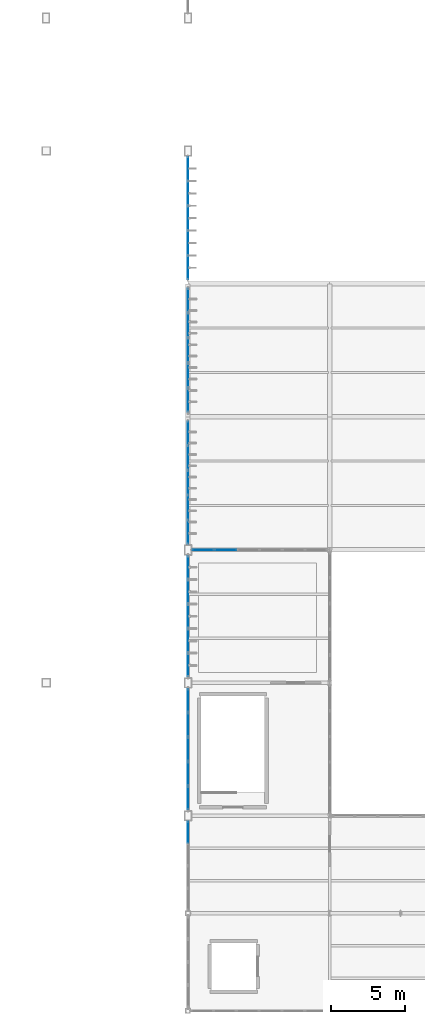
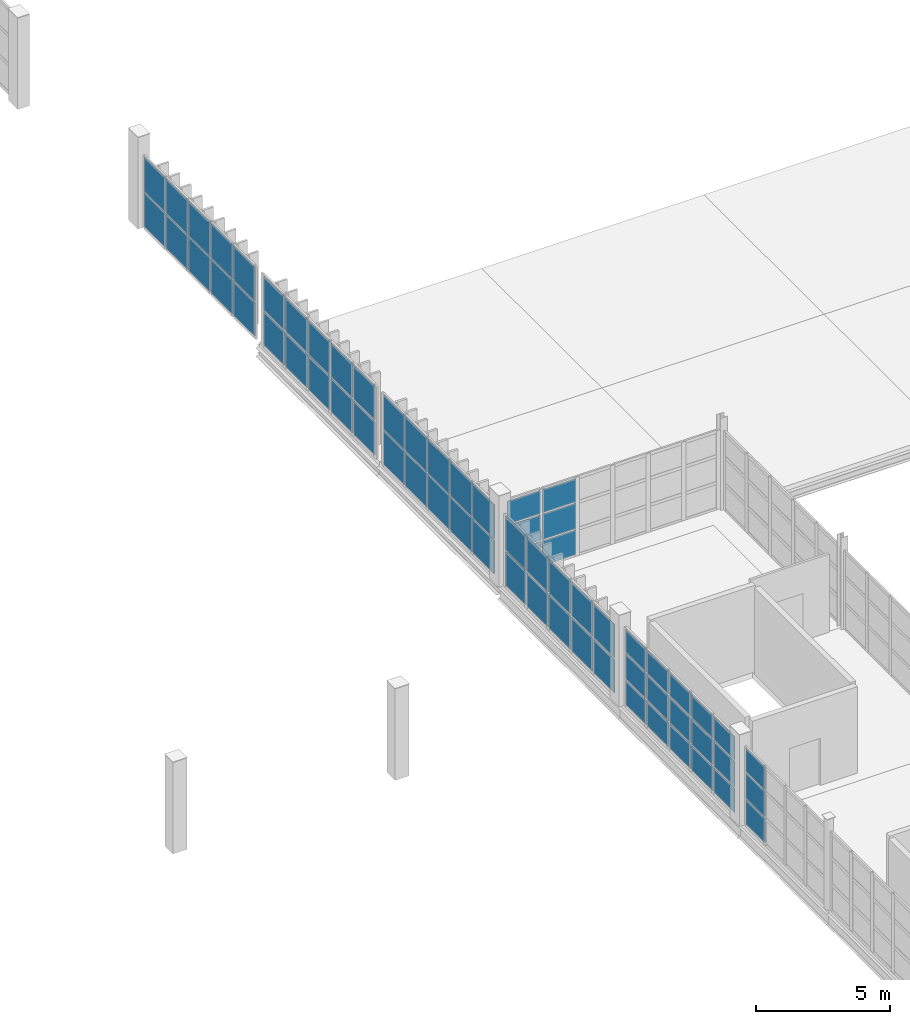
# One storey, part 53 of 82: 64 plates, 7 elements without a shape of their own.
"""IFC4 building model written with IfcOpenShell, lengths in metres."""

from ifc_helpers import new_model, si_unit, direction, frame, origin, origin_2d, place, context, subcontext, project, spatial, rectangle, extrude, material, layer, layer_set, type_object, element, aggregate, save


model = new_model("IFC4")

# Units and contexts
model_context = context("Model", 3, precision=1e-05, world=origin(), true_north=direction((0.0, 1.0)))
body_context = subcontext(model_context, "Body", "Model", "MODEL_VIEW")
ifc_project = project(units=[si_unit("LENGTHUNIT", "METRE"), si_unit("AREAUNIT", "SQUARE_METRE"), si_unit("VOLUMEUNIT", "CUBIC_METRE"), si_unit("PLANEANGLEUNIT", "RADIAN"), si_unit("MASSUNIT", "GRAM", prefix="KILO")], contexts=[model_context])

# Site, building, storey
site_placement = place(None, origin())
site = spatial("IfcSite", under=ifc_project, at=site_placement, CompositionType="ELEMENT")
building_placement = place(site_placement, origin())
building = spatial("IfcBuilding", under=site, at=building_placement, Name="Zarnetskaya Central Station", CompositionType="ELEMENT")
storey_placement = place(building_placement, frame((0.0, 0.0, 10.199951171875)))
storey = spatial("IfcBuildingStorey", under=building, at=storey_placement, Name="L02", CompositionType="ELEMENT", Elevation=10.199951171875)

# Curtain wall, plates
ifc_material = material(Name="Low-E insulated glass", Category="glass")
ifc_layer_1 = layer(ifc_material, 0.16796875, Name="Low-E insulated glass", Category="glass")
ifc_layer_set_1 = layer_set([ifc_layer_1], Name="Low-E insulated glass")
curtain_wall_type_1 = type_object("IfcCurtainWallType", Name="CW-SYS-18", PredefinedType="USERDEFINED", material=ifc_layer_set_1)
curtain_wall_1_placement = place(storey_placement, origin())
curtain_wall_1 = element("IfcCurtainWall", 1, at=curtain_wall_1_placement, inside=storey, type_object=curtain_wall_type_1, Name="Curtain wall CW-L02-090", ObjectType="CURTAIN WALL", PredefinedType="USERDEFINED")
ifc_layer_2 = layer(ifc_material, 0.028076171875, Name="Low-E insulated glass", Category="glass")
ifc_layer_set_2 = layer_set([ifc_layer_2], Name="Low-E insulated glass")
plate_type_1 = type_object("IfcPlateType", Name="CW-PAN-28", PredefinedType="CURTAIN_PANEL", material=ifc_layer_set_2)
plate_1_placement = place(storey_placement, frame((124.800048828125, 30.0, 0.080078125), z_axis=(0.0, 0.0, 1.0), x_axis=(0.0, -1.0, 0.0)))
plate_1 = element("IfcPlate", 2, at=plate_1_placement, type_object=plate_type_1, Name="CW-10 panel 1.1", PredefinedType="CURTAIN_PANEL", context=body_context, shape_type="SweptSolid", body=[
    extrude(rectangle(XDim=1.5400390625, YDim=0.028076171875, at=origin_2d()), origin(), (0.0, 0.0, 1.0), 1.530029296875),
])
plate_2_placement = place(storey_placement, frame((124.800048828125, 30.0, 1.68994140625), z_axis=(0.0, 0.0, 1.0), x_axis=(0.0, -1.0, 0.0)))
plate_2 = element("IfcPlate", 3, at=plate_2_placement, type_object=plate_type_1, Name="CW-10 panel 1.2", PredefinedType="CURTAIN_PANEL", context=body_context, shape_type="SweptSolid", body=[
    extrude(rectangle(XDim=1.5400390625, YDim=0.028076171875, at=origin_2d()), origin(), (0.0, 0.0, 1.0), 1.530029296875),
])
plate_3_placement = place(storey_placement, frame((124.800048828125, 28.360107421875, 0.080078125), z_axis=(0.0, 0.0, 1.0), x_axis=(0.0, -1.0, 0.0)))
plate_3 = element("IfcPlate", 4, at=plate_3_placement, type_object=plate_type_1, Name="CW-10 panel 2.1", PredefinedType="CURTAIN_PANEL", context=body_context, shape_type="SweptSolid", body=[
    extrude(rectangle(XDim=1.580078125, YDim=0.028076171875, at=origin_2d()), origin(), (0.0, 0.0, 1.0), 1.530029296875),
])
plate_4_placement = place(storey_placement, frame((124.800048828125, 28.360107421875, 1.68994140625), z_axis=(0.0, 0.0, 1.0), x_axis=(0.0, -1.0, 0.0)))
plate_4 = element("IfcPlate", 5, at=plate_4_placement, type_object=plate_type_1, Name="CW-10 panel 2.2", PredefinedType="CURTAIN_PANEL", context=body_context, shape_type="SweptSolid", body=[
    extrude(rectangle(XDim=1.580078125, YDim=0.028076171875, at=origin_2d()), origin(), (0.0, 0.0, 1.0), 1.530029296875),
])
plate_5_placement = place(storey_placement, frame((124.800048828125, 26.699951171875, 0.080078125), z_axis=(0.0, 0.0, 1.0), x_axis=(0.0, -1.0, 0.0)))
plate_5 = element("IfcPlate", 6, at=plate_5_placement, type_object=plate_type_1, Name="CW-10 panel 3.1", PredefinedType="CURTAIN_PANEL", context=body_context, shape_type="SweptSolid", body=[
    extrude(rectangle(XDim=1.580078125, YDim=0.028076171875, at=origin_2d()), origin(), (0.0, 0.0, 1.0), 1.530029296875),
])
plate_6_placement = place(storey_placement, frame((124.800048828125, 26.699951171875, 1.68994140625), z_axis=(0.0, 0.0, 1.0), x_axis=(0.0, -1.0, 0.0)))
plate_6 = element("IfcPlate", 7, at=plate_6_placement, type_object=plate_type_1, Name="CW-10 panel 3.2", PredefinedType="CURTAIN_PANEL", context=body_context, shape_type="SweptSolid", body=[
    extrude(rectangle(XDim=1.580078125, YDim=0.028076171875, at=origin_2d()), origin(), (0.0, 0.0, 1.0), 1.530029296875),
])
plate_7_placement = place(storey_placement, frame((124.800048828125, 25.0400390625, 0.080078125), z_axis=(0.0, 0.0, 1.0), x_axis=(0.0, -1.0, 0.0)))
plate_7 = element("IfcPlate", 8, at=plate_7_placement, type_object=plate_type_1, Name="CW-10 panel 4.1", PredefinedType="CURTAIN_PANEL", context=body_context, shape_type="SweptSolid", body=[
    extrude(rectangle(XDim=1.580078125, YDim=0.028076171875, at=origin_2d()), origin(), (0.0, 0.0, 1.0), 1.530029296875),
])
plate_8_placement = place(storey_placement, frame((124.800048828125, 25.0400390625, 1.68994140625), z_axis=(0.0, 0.0, 1.0), x_axis=(0.0, -1.0, 0.0)))
plate_8 = element("IfcPlate", 9, at=plate_8_placement, type_object=plate_type_1, Name="CW-10 panel 4.2", PredefinedType="CURTAIN_PANEL", context=body_context, shape_type="SweptSolid", body=[
    extrude(rectangle(XDim=1.580078125, YDim=0.028076171875, at=origin_2d()), origin(), (0.0, 0.0, 1.0), 1.530029296875),
])
plate_9_placement = place(storey_placement, frame((124.800048828125, 23.39990234375, 0.080078125), z_axis=(0.0, 0.0, 1.0), x_axis=(0.0, -1.0, 0.0)))
plate_9 = element("IfcPlate", 10, at=plate_9_placement, type_object=plate_type_1, Name="CW-10 panel 5.1", PredefinedType="CURTAIN_PANEL", context=body_context, shape_type="SweptSolid", body=[
    extrude(rectangle(XDim=1.5400390625, YDim=0.028076171875, at=origin_2d()), origin(), (0.0, 0.0, 1.0), 1.530029296875),
])
plate_10_placement = place(storey_placement, frame((124.800048828125, 23.39990234375, 1.68994140625), z_axis=(0.0, 0.0, 1.0), x_axis=(0.0, -1.0, 0.0)))
plate_10 = element("IfcPlate", 11, at=plate_10_placement, type_object=plate_type_1, Name="CW-10 panel 5.2", PredefinedType="CURTAIN_PANEL", context=body_context, shape_type="SweptSolid", body=[
    extrude(rectangle(XDim=1.5400390625, YDim=0.028076171875, at=origin_2d()), origin(), (0.0, 0.0, 1.0), 1.530029296875),
])
aggregate(curtain_wall_1, [plate_1, plate_2, plate_3, plate_4, plate_5, plate_6, plate_7, plate_8, plate_9, plate_10])

ifc_layer_3 = layer(ifc_material, 0.1640625, Name="Low-E insulated glass", Category="glass")
ifc_layer_set_3 = layer_set([ifc_layer_3], Name="Low-E insulated glass")
curtain_wall_type_2 = type_object("IfcCurtainWallType", Name="CW-SYS-07", PredefinedType="USERDEFINED", material=ifc_layer_set_3)
curtain_wall_2_placement = place(storey_placement, origin())
curtain_wall_2 = element("IfcCurtainWall", 12, at=curtain_wall_2_placement, inside=storey, type_object=curtain_wall_type_2, Name="Curtain wall CW-L02-135", ObjectType="CURTAIN WALL", PredefinedType="USERDEFINED")
plate_11_placement = place(storey_placement, frame((124.800048828125, 12.073486328125, 0.0703125), z_axis=(0.0, 0.0, 1.0), x_axis=(0.0, 1.0, 0.0)))
plate_11 = element("IfcPlate", 13, at=plate_11_placement, type_object=plate_type_1, Name="CW-06 panel 4.1", PredefinedType="CURTAIN_PANEL", context=body_context, shape_type="SweptSolid", body=[
    extrude(rectangle(XDim=1.4130859375, YDim=0.028076171875, at=origin_2d()), origin(), (0.0, 0.0, 1.0), 1.118896484375),
])
plate_12_placement = place(storey_placement, frame((124.800048828125, 12.073486328125, 1.2587890625), z_axis=(0.0, 0.0, 1.0), x_axis=(0.0, 1.0, 0.0)))
plate_12 = element("IfcPlate", 14, at=plate_12_placement, type_object=plate_type_1, Name="CW-06 panel 4.2", PredefinedType="CURTAIN_PANEL", context=body_context, shape_type="SweptSolid", body=[
    extrude(rectangle(XDim=1.4130859375, YDim=0.028076171875, at=origin_2d()), origin(), (0.0, 0.0, 1.0), 1.154052734375),
])
plate_13_placement = place(storey_placement, frame((124.800048828125, 12.073486328125, 2.48291015625), z_axis=(0.0, 0.0, 1.0), x_axis=(0.0, 1.0, 0.0)))
plate_13 = element("IfcPlate", 15, at=plate_13_placement, type_object=plate_type_1, Name="CW-06 panel 4.3", PredefinedType="CURTAIN_PANEL", context=body_context, shape_type="SweptSolid", body=[
    extrude(rectangle(XDim=1.4130859375, YDim=0.028076171875, at=origin_2d()), origin(), (0.0, 0.0, 1.0), 1.047119140625),
])
aggregate(curtain_wall_2, [plate_11, plate_12, plate_13])

curtain_wall_3_placement = place(storey_placement, origin())
curtain_wall_3 = element("IfcCurtainWall", 16, at=curtain_wall_3_placement, inside=storey, type_object=curtain_wall_type_1, Name="Curtain wall CW-L02-096", ObjectType="CURTAIN WALL", PredefinedType="USERDEFINED")
ifc_layer_4 = layer(ifc_material, 0.031982421875, Name="Low-E insulated glass", Category="glass")
ifc_layer_set_4 = layer_set([ifc_layer_4], Name="Low-E insulated glass")
plate_type_2 = type_object("IfcPlateType", Name="CW-PAN-32", PredefinedType="CURTAIN_PANEL", material=ifc_layer_set_4)
plate_14_placement = place(storey_placement, frame((124.800048828125, 48.080078125, 0.080078125), z_axis=(0.0, 0.0, 1.0), x_axis=(0.0, -1.0, 0.0)))
plate_14 = element("IfcPlate", 17, at=plate_14_placement, type_object=plate_type_2, Name="CW-10 panel 1.1", PredefinedType="CURTAIN_PANEL", context=body_context, shape_type="SweptSolid", body=[
    extrude(rectangle(XDim=1.580078125, YDim=0.031982421875, at=origin_2d()), origin(), (0.0, 0.0, 1.0), 1.530029296875),
])
plate_15_placement = place(storey_placement, frame((124.800048828125, 48.080078125, 1.68994140625), z_axis=(0.0, 0.0, 1.0), x_axis=(0.0, -1.0, 0.0)))
plate_15 = element("IfcPlate", 18, at=plate_15_placement, type_object=plate_type_2, Name="CW-10 panel 1.2", PredefinedType="CURTAIN_PANEL", context=body_context, shape_type="SweptSolid", body=[
    extrude(rectangle(XDim=1.580078125, YDim=0.031982421875, at=origin_2d()), origin(), (0.0, 0.0, 1.0), 1.530029296875),
])
plate_16_placement = place(storey_placement, frame((124.800048828125, 46.39990234375, 0.080078125), z_axis=(0.0, 0.0, 1.0), x_axis=(0.0, -1.0, 0.0)))
plate_16 = element("IfcPlate", 19, at=plate_16_placement, type_object=plate_type_2, Name="CW-10 panel 2.1", PredefinedType="CURTAIN_PANEL", context=body_context, shape_type="SweptSolid", body=[
    extrude(rectangle(XDim=1.6201171875, YDim=0.031982421875, at=origin_2d()), origin(), (0.0, 0.0, 1.0), 1.530029296875),
])
plate_17_placement = place(storey_placement, frame((124.800048828125, 46.39990234375, 1.68994140625), z_axis=(0.0, 0.0, 1.0), x_axis=(0.0, -1.0, 0.0)))
plate_17 = element("IfcPlate", 20, at=plate_17_placement, type_object=plate_type_2, Name="CW-10 panel 2.2", PredefinedType="CURTAIN_PANEL", context=body_context, shape_type="SweptSolid", body=[
    extrude(rectangle(XDim=1.6201171875, YDim=0.031982421875, at=origin_2d()), origin(), (0.0, 0.0, 1.0), 1.530029296875),
])
plate_18_placement = place(storey_placement, frame((124.800048828125, 44.699951171875, 0.080078125), z_axis=(0.0, 0.0, 1.0), x_axis=(0.0, -1.0, 0.0)))
plate_18 = element("IfcPlate", 21, at=plate_18_placement, type_object=plate_type_2, Name="CW-10 panel 3.1", PredefinedType="CURTAIN_PANEL", context=body_context, shape_type="SweptSolid", body=[
    extrude(rectangle(XDim=1.6201171875, YDim=0.031982421875, at=origin_2d()), origin(), (0.0, 0.0, 1.0), 1.530029296875),
])
plate_19_placement = place(storey_placement, frame((124.800048828125, 44.699951171875, 1.68994140625), z_axis=(0.0, 0.0, 1.0), x_axis=(0.0, -1.0, 0.0)))
plate_19 = element("IfcPlate", 22, at=plate_19_placement, type_object=plate_type_2, Name="CW-10 panel 3.2", PredefinedType="CURTAIN_PANEL", context=body_context, shape_type="SweptSolid", body=[
    extrude(rectangle(XDim=1.6201171875, YDim=0.031982421875, at=origin_2d()), origin(), (0.0, 0.0, 1.0), 1.530029296875),
])
plate_20_placement = place(storey_placement, frame((124.800048828125, 43.0, 0.080078125), z_axis=(0.0, 0.0, 1.0), x_axis=(0.0, -1.0, 0.0)))
plate_20 = element("IfcPlate", 23, at=plate_20_placement, type_object=plate_type_2, Name="CW-10 panel 4.1", PredefinedType="CURTAIN_PANEL", context=body_context, shape_type="SweptSolid", body=[
    extrude(rectangle(XDim=1.6201171875, YDim=0.031982421875, at=origin_2d()), origin(), (0.0, 0.0, 1.0), 1.530029296875),
])
plate_21_placement = place(storey_placement, frame((124.800048828125, 43.0, 1.68994140625), z_axis=(0.0, 0.0, 1.0), x_axis=(0.0, -1.0, 0.0)))
plate_21 = element("IfcPlate", 24, at=plate_21_placement, type_object=plate_type_2, Name="CW-10 panel 4.2", PredefinedType="CURTAIN_PANEL", context=body_context, shape_type="SweptSolid", body=[
    extrude(rectangle(XDim=1.6201171875, YDim=0.031982421875, at=origin_2d()), origin(), (0.0, 0.0, 1.0), 1.530029296875),
])
plate_22_placement = place(storey_placement, frame((124.800048828125, 41.320068359375, 0.080078125), z_axis=(0.0, 0.0, 1.0), x_axis=(0.0, -1.0, 0.0)))
plate_22 = element("IfcPlate", 25, at=plate_22_placement, type_object=plate_type_2, Name="CW-10 panel 5.1", PredefinedType="CURTAIN_PANEL", context=body_context, shape_type="SweptSolid", body=[
    extrude(rectangle(XDim=1.580078125, YDim=0.031982421875, at=origin_2d()), origin(), (0.0, 0.0, 1.0), 1.530029296875),
])
plate_23_placement = place(storey_placement, frame((124.800048828125, 41.320068359375, 1.68994140625), z_axis=(0.0, 0.0, 1.0), x_axis=(0.0, -1.0, 0.0)))
plate_23 = element("IfcPlate", 26, at=plate_23_placement, type_object=plate_type_2, Name="CW-10 panel 5.2", PredefinedType="CURTAIN_PANEL", context=body_context, shape_type="SweptSolid", body=[
    extrude(rectangle(XDim=1.580078125, YDim=0.031982421875, at=origin_2d()), origin(), (0.0, 0.0, 1.0), 1.530029296875),
])
aggregate(curtain_wall_3, [plate_14, plate_15, plate_16, plate_17, plate_18, plate_19, plate_20, plate_21, plate_22, plate_23])

curtain_wall_4_placement = place(storey_placement, origin())
curtain_wall_4 = element("IfcCurtainWall", 27, at=curtain_wall_4_placement, inside=storey, type_object=curtain_wall_type_2, Name="Curtain wall CW-L02-136", ObjectType="CURTAIN WALL", PredefinedType="USERDEFINED")
plate_24_placement = place(storey_placement, frame((124.800048828125, 14.39990234375, 0.080078125), z_axis=(0.0, 0.0, 1.0), x_axis=(0.0, 1.0, 0.0)))
plate_24 = element("IfcPlate", 28, at=plate_24_placement, type_object=plate_type_2, Name="CW-06 panel 1.1", PredefinedType="CURTAIN_PANEL", context=body_context, shape_type="SweptSolid", body=[
    extrude(rectangle(XDim=1.5400390625, YDim=0.031982421875, at=origin_2d()), origin(), (0.0, 0.0, 1.0), 1.10400390625),
])
plate_25_placement = place(storey_placement, frame((124.800048828125, 14.39990234375, 1.263916015625), z_axis=(0.0, 0.0, 1.0), x_axis=(0.0, 1.0, 0.0)))
plate_25 = element("IfcPlate", 29, at=plate_25_placement, type_object=plate_type_2, Name="CW-06 panel 1.2", PredefinedType="CURTAIN_PANEL", context=body_context, shape_type="SweptSolid", body=[
    extrude(rectangle(XDim=1.5400390625, YDim=0.031982421875, at=origin_2d()), origin(), (0.0, 0.0, 1.0), 1.14404296875),
])
plate_26_placement = place(storey_placement, frame((124.800048828125, 14.39990234375, 2.48828125), z_axis=(0.0, 0.0, 1.0), x_axis=(0.0, 1.0, 0.0)))
plate_26 = element("IfcPlate", 30, at=plate_26_placement, type_object=plate_type_2, Name="CW-06 panel 1.3", PredefinedType="CURTAIN_PANEL", context=body_context, shape_type="SweptSolid", body=[
    extrude(rectangle(XDim=1.5400390625, YDim=0.031982421875, at=origin_2d()), origin(), (0.0, 0.0, 1.0), 1.031982421875),
])
plate_27_placement = place(storey_placement, frame((124.800048828125, 16.0400390625, 0.080078125), z_axis=(0.0, 0.0, 1.0), x_axis=(0.0, 1.0, 0.0)))
plate_27 = element("IfcPlate", 31, at=plate_27_placement, type_object=plate_type_2, Name="CW-06 panel 2.1", PredefinedType="CURTAIN_PANEL", context=body_context, shape_type="SweptSolid", body=[
    extrude(rectangle(XDim=1.580078125, YDim=0.031982421875, at=origin_2d()), origin(), (0.0, 0.0, 1.0), 1.10400390625),
])
plate_28_placement = place(storey_placement, frame((124.800048828125, 16.0400390625, 1.263916015625), z_axis=(0.0, 0.0, 1.0), x_axis=(0.0, 1.0, 0.0)))
plate_28 = element("IfcPlate", 32, at=plate_28_placement, type_object=plate_type_2, Name="CW-06 panel 2.2", PredefinedType="CURTAIN_PANEL", context=body_context, shape_type="SweptSolid", body=[
    extrude(rectangle(XDim=1.580078125, YDim=0.031982421875, at=origin_2d()), origin(), (0.0, 0.0, 1.0), 1.14404296875),
])
plate_29_placement = place(storey_placement, frame((124.800048828125, 16.0400390625, 2.48828125), z_axis=(0.0, 0.0, 1.0), x_axis=(0.0, 1.0, 0.0)))
plate_29 = element("IfcPlate", 33, at=plate_29_placement, type_object=plate_type_2, Name="CW-06 panel 2.3", PredefinedType="CURTAIN_PANEL", context=body_context, shape_type="SweptSolid", body=[
    extrude(rectangle(XDim=1.580078125, YDim=0.031982421875, at=origin_2d()), origin(), (0.0, 0.0, 1.0), 1.031982421875),
])
plate_30_placement = place(storey_placement, frame((124.800048828125, 17.699951171875, 0.080078125), z_axis=(0.0, 0.0, 1.0), x_axis=(0.0, 1.0, 0.0)))
plate_30 = element("IfcPlate", 34, at=plate_30_placement, type_object=plate_type_2, Name="CW-06 panel 3.1", PredefinedType="CURTAIN_PANEL", context=body_context, shape_type="SweptSolid", body=[
    extrude(rectangle(XDim=1.580078125, YDim=0.031982421875, at=origin_2d()), origin(), (0.0, 0.0, 1.0), 1.10400390625),
])
plate_31_placement = place(storey_placement, frame((124.800048828125, 17.699951171875, 1.263916015625), z_axis=(0.0, 0.0, 1.0), x_axis=(0.0, 1.0, 0.0)))
plate_31 = element("IfcPlate", 35, at=plate_31_placement, type_object=plate_type_2, Name="CW-06 panel 3.2", PredefinedType="CURTAIN_PANEL", context=body_context, shape_type="SweptSolid", body=[
    extrude(rectangle(XDim=1.580078125, YDim=0.031982421875, at=origin_2d()), origin(), (0.0, 0.0, 1.0), 1.14404296875),
])
plate_32_placement = place(storey_placement, frame((124.800048828125, 17.699951171875, 2.48828125), z_axis=(0.0, 0.0, 1.0), x_axis=(0.0, 1.0, 0.0)))
plate_32 = element("IfcPlate", 36, at=plate_32_placement, type_object=plate_type_2, Name="CW-06 panel 3.3", PredefinedType="CURTAIN_PANEL", context=body_context, shape_type="SweptSolid", body=[
    extrude(rectangle(XDim=1.580078125, YDim=0.031982421875, at=origin_2d()), origin(), (0.0, 0.0, 1.0), 1.031982421875),
])
plate_33_placement = place(storey_placement, frame((124.800048828125, 19.360107421875, 0.080078125), z_axis=(0.0, 0.0, 1.0), x_axis=(0.0, 1.0, 0.0)))
plate_33 = element("IfcPlate", 37, at=plate_33_placement, type_object=plate_type_2, Name="CW-06 panel 4.1", PredefinedType="CURTAIN_PANEL", context=body_context, shape_type="SweptSolid", body=[
    extrude(rectangle(XDim=1.580078125, YDim=0.031982421875, at=origin_2d()), origin(), (0.0, 0.0, 1.0), 1.10400390625),
])
plate_34_placement = place(storey_placement, frame((124.800048828125, 19.360107421875, 1.263916015625), z_axis=(0.0, 0.0, 1.0), x_axis=(0.0, 1.0, 0.0)))
plate_34 = element("IfcPlate", 38, at=plate_34_placement, type_object=plate_type_2, Name="CW-06 panel 4.2", PredefinedType="CURTAIN_PANEL", context=body_context, shape_type="SweptSolid", body=[
    extrude(rectangle(XDim=1.580078125, YDim=0.031982421875, at=origin_2d()), origin(), (0.0, 0.0, 1.0), 1.14404296875),
])
plate_35_placement = place(storey_placement, frame((124.800048828125, 19.360107421875, 2.48828125), z_axis=(0.0, 0.0, 1.0), x_axis=(0.0, 1.0, 0.0)))
plate_35 = element("IfcPlate", 39, at=plate_35_placement, type_object=plate_type_2, Name="CW-06 panel 4.3", PredefinedType="CURTAIN_PANEL", context=body_context, shape_type="SweptSolid", body=[
    extrude(rectangle(XDim=1.580078125, YDim=0.031982421875, at=origin_2d()), origin(), (0.0, 0.0, 1.0), 1.031982421875),
])
plate_36_placement = place(storey_placement, frame((124.800048828125, 21.0, 0.080078125), z_axis=(0.0, 0.0, 1.0), x_axis=(0.0, 1.0, 0.0)))
plate_36 = element("IfcPlate", 40, at=plate_36_placement, type_object=plate_type_2, Name="CW-06 panel 5.1", PredefinedType="CURTAIN_PANEL", context=body_context, shape_type="SweptSolid", body=[
    extrude(rectangle(XDim=1.5400390625, YDim=0.031982421875, at=origin_2d()), origin(), (0.0, 0.0, 1.0), 1.10400390625),
])
plate_37_placement = place(storey_placement, frame((124.800048828125, 21.0, 1.263916015625), z_axis=(0.0, 0.0, 1.0), x_axis=(0.0, 1.0, 0.0)))
plate_37 = element("IfcPlate", 41, at=plate_37_placement, type_object=plate_type_2, Name="CW-06 panel 5.2", PredefinedType="CURTAIN_PANEL", context=body_context, shape_type="SweptSolid", body=[
    extrude(rectangle(XDim=1.5400390625, YDim=0.031982421875, at=origin_2d()), origin(), (0.0, 0.0, 1.0), 1.14404296875),
])
plate_38_placement = place(storey_placement, frame((124.800048828125, 21.0, 2.48828125), z_axis=(0.0, 0.0, 1.0), x_axis=(0.0, 1.0, 0.0)))
plate_38 = element("IfcPlate", 42, at=plate_38_placement, type_object=plate_type_2, Name="CW-06 panel 5.3", PredefinedType="CURTAIN_PANEL", context=body_context, shape_type="SweptSolid", body=[
    extrude(rectangle(XDim=1.5400390625, YDim=0.031982421875, at=origin_2d()), origin(), (0.0, 0.0, 1.0), 1.031982421875),
])
aggregate(curtain_wall_4, [plate_24, plate_25, plate_26, plate_27, plate_28, plate_29, plate_30, plate_31, plate_32, plate_33, plate_34, plate_35, plate_36, plate_37, plate_38])

curtain_wall_5_placement = place(storey_placement, origin())
curtain_wall_5 = element("IfcCurtainWall", 43, at=curtain_wall_5_placement, inside=storey, type_object=curtain_wall_type_2, Name="Curtain wall CW-L02-137", ObjectType="CURTAIN WALL", PredefinedType="USERDEFINED")
ifc_layer_5 = layer(ifc_material, 0.035888671875, Name="Low-E insulated glass", Category="glass")
ifc_layer_set_5 = layer_set([ifc_layer_5], Name="Low-E insulated glass")
plate_type_3 = type_object("IfcPlateType", Name="CW-PAN-36", PredefinedType="CURTAIN_PANEL", material=ifc_layer_set_5)
plate_39_placement = place(storey_placement, frame((125.834228515625, 31.199951171875, 0.0703125), z_axis=(0.0, 0.0, 1.0), x_axis=(1.0, 0.0, 0.0)))
plate_39 = element("IfcPlate", 44, at=plate_39_placement, type_object=plate_type_3, Name="CW-06 panel 1.1", PredefinedType="CURTAIN_PANEL", context=body_context, shape_type="SweptSolid", body=[
    extrude(rectangle(XDim=1.42822265625, YDim=0.035888671875, at=origin_2d()), origin(), (0.0, 0.0, 1.0), 1.118896484375),
])
plate_40_placement = place(storey_placement, frame((125.834228515625, 31.199951171875, 1.2587890625), z_axis=(0.0, 0.0, 1.0), x_axis=(1.0, 0.0, 0.0)))
plate_40 = element("IfcPlate", 45, at=plate_40_placement, type_object=plate_type_3, Name="CW-06 panel 1.2", PredefinedType="CURTAIN_PANEL", context=body_context, shape_type="SweptSolid", body=[
    extrude(rectangle(XDim=1.42822265625, YDim=0.035888671875, at=origin_2d()), origin(), (0.0, 0.0, 1.0), 1.154052734375),
])
plate_41_placement = place(storey_placement, frame((125.834228515625, 31.199951171875, 2.48291015625), z_axis=(0.0, 0.0, 1.0), x_axis=(1.0, 0.0, 0.0)))
plate_41 = element("IfcPlate", 46, at=plate_41_placement, type_object=plate_type_3, Name="CW-06 panel 1.3", PredefinedType="CURTAIN_PANEL", context=body_context, shape_type="SweptSolid", body=[
    extrude(rectangle(XDim=1.42822265625, YDim=0.035888671875, at=origin_2d()), origin(), (0.0, 0.0, 1.0), 1.047119140625),
])
plate_42_placement = place(storey_placement, frame((127.35009765625, 31.199951171875, 0.0703125), z_axis=(0.0, 0.0, 1.0), x_axis=(1.0, 0.0, 0.0)))
plate_42 = element("IfcPlate", 47, at=plate_42_placement, type_object=plate_type_3, Name="CW-06 panel 2.1", PredefinedType="CURTAIN_PANEL", context=body_context, shape_type="SweptSolid", body=[
    extrude(rectangle(XDim=1.46337890625, YDim=0.035888671875, at=origin_2d()), origin(), (0.0, 0.0, 1.0), 1.118896484375),
])
plate_43_placement = place(storey_placement, frame((127.35009765625, 31.199951171875, 1.2587890625), z_axis=(0.0, 0.0, 1.0), x_axis=(1.0, 0.0, 0.0)))
plate_43 = element("IfcPlate", 48, at=plate_43_placement, type_object=plate_type_3, Name="CW-06 panel 2.2", PredefinedType="CURTAIN_PANEL", context=body_context, shape_type="SweptSolid", body=[
    extrude(rectangle(XDim=1.46337890625, YDim=0.035888671875, at=origin_2d()), origin(), (0.0, 0.0, 1.0), 1.154052734375),
])
plate_44_placement = place(storey_placement, frame((127.35009765625, 31.199951171875, 2.48291015625), z_axis=(0.0, 0.0, 1.0), x_axis=(1.0, 0.0, 0.0)))
plate_44 = element("IfcPlate", 49, at=plate_44_placement, type_object=plate_type_3, Name="CW-06 panel 2.3", PredefinedType="CURTAIN_PANEL", context=body_context, shape_type="SweptSolid", body=[
    extrude(rectangle(XDim=1.46337890625, YDim=0.035888671875, at=origin_2d()), origin(), (0.0, 0.0, 1.0), 1.047119140625),
])
aggregate(curtain_wall_5, [plate_39, plate_40, plate_41, plate_42, plate_43, plate_44])

curtain_wall_6_placement = place(storey_placement, origin())
curtain_wall_6 = element("IfcCurtainWall", 50, at=curtain_wall_6_placement, inside=storey, type_object=curtain_wall_type_1, Name="Curtain wall CW-L02-093", ObjectType="CURTAIN WALL", PredefinedType="USERDEFINED")
ifc_layer_6 = layer(ifc_material, 0.0400390625, Name="Low-E insulated glass", Category="glass")
ifc_layer_set_6 = layer_set([ifc_layer_6], Name="Low-E insulated glass")
plate_type_4 = type_object("IfcPlateType", Name="CW-PAN-40", PredefinedType="CURTAIN_PANEL", material=ifc_layer_set_6)
plate_45_placement = place(storey_placement, frame((124.800048828125, 39.092529296875, 0.070068359375), z_axis=(0.0, 0.0, 1.0), x_axis=(0.0, -1.0, 0.0)))
plate_45 = element("IfcPlate", 51, at=plate_45_placement, type_object=plate_type_4, Name="CW-10 panel 1.1", PredefinedType="CURTAIN_PANEL", context=body_context, shape_type="SweptSolid", body=[
    extrude(rectangle(XDim=1.574951171875, YDim=0.0400390625, at=origin_2d()), origin(), (0.0, 0.0, 1.0), 1.544921875),
])
plate_46_placement = place(storey_placement, frame((124.800048828125, 39.092529296875, 1.68505859375), z_axis=(0.0, 0.0, 1.0), x_axis=(0.0, -1.0, 0.0)))
plate_46 = element("IfcPlate", 52, at=plate_46_placement, type_object=plate_type_4, Name="CW-10 panel 1.2", PredefinedType="CURTAIN_PANEL", context=body_context, shape_type="SweptSolid", body=[
    extrude(rectangle(XDim=1.574951171875, YDim=0.0400390625, at=origin_2d()), origin(), (0.0, 0.0, 1.0), 1.544921875),
])
plate_47_placement = place(storey_placement, frame((124.800048828125, 37.429931640625, 0.070068359375), z_axis=(0.0, 0.0, 1.0), x_axis=(0.0, -1.0, 0.0)))
plate_47 = element("IfcPlate", 53, at=plate_47_placement, type_object=plate_type_4, Name="CW-10 panel 2.1", PredefinedType="CURTAIN_PANEL", context=body_context, shape_type="SweptSolid", body=[
    extrude(rectangle(XDim=1.610107421875, YDim=0.0400390625, at=origin_2d()), origin(), (0.0, 0.0, 1.0), 1.544921875),
])
plate_48_placement = place(storey_placement, frame((124.800048828125, 37.429931640625, 1.68505859375), z_axis=(0.0, 0.0, 1.0), x_axis=(0.0, -1.0, 0.0)))
plate_48 = element("IfcPlate", 54, at=plate_48_placement, type_object=plate_type_4, Name="CW-10 panel 2.2", PredefinedType="CURTAIN_PANEL", context=body_context, shape_type="SweptSolid", body=[
    extrude(rectangle(XDim=1.610107421875, YDim=0.0400390625, at=origin_2d()), origin(), (0.0, 0.0, 1.0), 1.544921875),
])
plate_49_placement = place(storey_placement, frame((124.800048828125, 35.75, 0.070068359375), z_axis=(0.0, 0.0, 1.0), x_axis=(0.0, -1.0, 0.0)))
plate_49 = element("IfcPlate", 55, at=plate_49_placement, type_object=plate_type_4, Name="CW-10 panel 3.1", PredefinedType="CURTAIN_PANEL", context=body_context, shape_type="SweptSolid", body=[
    extrude(rectangle(XDim=1.610107421875, YDim=0.0400390625, at=origin_2d()), origin(), (0.0, 0.0, 1.0), 1.544921875),
])
plate_50_placement = place(storey_placement, frame((124.800048828125, 35.75, 1.68505859375), z_axis=(0.0, 0.0, 1.0), x_axis=(0.0, -1.0, 0.0)))
plate_50 = element("IfcPlate", 56, at=plate_50_placement, type_object=plate_type_4, Name="CW-10 panel 3.2", PredefinedType="CURTAIN_PANEL", context=body_context, shape_type="SweptSolid", body=[
    extrude(rectangle(XDim=1.610107421875, YDim=0.0400390625, at=origin_2d()), origin(), (0.0, 0.0, 1.0), 1.544921875),
])
plate_51_placement = place(storey_placement, frame((124.800048828125, 34.070068359375, 0.070068359375), z_axis=(0.0, 0.0, 1.0), x_axis=(0.0, -1.0, 0.0)))
plate_51 = element("IfcPlate", 57, at=plate_51_placement, type_object=plate_type_4, Name="CW-10 panel 4.1", PredefinedType="CURTAIN_PANEL", context=body_context, shape_type="SweptSolid", body=[
    extrude(rectangle(XDim=1.610107421875, YDim=0.0400390625, at=origin_2d()), origin(), (0.0, 0.0, 1.0), 1.544921875),
])
plate_52_placement = place(storey_placement, frame((124.800048828125, 34.070068359375, 1.68505859375), z_axis=(0.0, 0.0, 1.0), x_axis=(0.0, -1.0, 0.0)))
plate_52 = element("IfcPlate", 58, at=plate_52_placement, type_object=plate_type_4, Name="CW-10 panel 4.2", PredefinedType="CURTAIN_PANEL", context=body_context, shape_type="SweptSolid", body=[
    extrude(rectangle(XDim=1.610107421875, YDim=0.0400390625, at=origin_2d()), origin(), (0.0, 0.0, 1.0), 1.544921875),
])
plate_53_placement = place(storey_placement, frame((124.800048828125, 32.407470703125, 0.070068359375), z_axis=(0.0, 0.0, 1.0), x_axis=(0.0, -1.0, 0.0)))
plate_53 = element("IfcPlate", 59, at=plate_53_placement, type_object=plate_type_4, Name="CW-10 panel 5.1", PredefinedType="CURTAIN_PANEL", context=body_context, shape_type="SweptSolid", body=[
    extrude(rectangle(XDim=1.574951171875, YDim=0.0400390625, at=origin_2d()), origin(), (0.0, 0.0, 1.0), 1.544921875),
])
plate_54_placement = place(storey_placement, frame((124.800048828125, 32.407470703125, 1.68505859375), z_axis=(0.0, 0.0, 1.0), x_axis=(0.0, -1.0, 0.0)))
plate_54 = element("IfcPlate", 60, at=plate_54_placement, type_object=plate_type_4, Name="CW-10 panel 5.2", PredefinedType="CURTAIN_PANEL", context=body_context, shape_type="SweptSolid", body=[
    extrude(rectangle(XDim=1.574951171875, YDim=0.0400390625, at=origin_2d()), origin(), (0.0, 0.0, 1.0), 1.544921875),
])
aggregate(curtain_wall_6, [plate_45, plate_46, plate_47, plate_48, plate_49, plate_50, plate_51, plate_52, plate_53, plate_54])

curtain_wall_7_placement = place(storey_placement, origin())
curtain_wall_7 = element("IfcCurtainWall", 61, at=curtain_wall_7_placement, inside=storey, type_object=curtain_wall_type_1, Name="Curtain wall CW-L02-099", ObjectType="CURTAIN WALL", PredefinedType="USERDEFINED")
ifc_layer_7 = layer(ifc_material, 0.0439453125, Name="Low-E insulated glass", Category="glass")
ifc_layer_set_7 = layer_set([ifc_layer_7], Name="Low-E insulated glass")
plate_type_5 = type_object("IfcPlateType", Name="CW-PAN-44", PredefinedType="CURTAIN_PANEL", material=ifc_layer_set_7)
plate_55_placement = place(storey_placement, frame((124.800048828125, 56.992431640625, 0.070068359375), z_axis=(0.0, 0.0, 1.0), x_axis=(0.0, -1.0, 0.0)))
plate_55 = element("IfcPlate", 62, at=plate_55_placement, type_object=plate_type_5, Name="CW-10 panel 1.1", PredefinedType="CURTAIN_PANEL", context=body_context, shape_type="SweptSolid", body=[
    extrude(rectangle(XDim=1.574951171875, YDim=0.0439453125, at=origin_2d()), origin(), (0.0, 0.0, 1.0), 1.544921875),
])
plate_56_placement = place(storey_placement, frame((124.800048828125, 56.992431640625, 1.68505859375), z_axis=(0.0, 0.0, 1.0), x_axis=(0.0, -1.0, 0.0)))
plate_56 = element("IfcPlate", 63, at=plate_56_placement, type_object=plate_type_5, Name="CW-10 panel 1.2", PredefinedType="CURTAIN_PANEL", context=body_context, shape_type="SweptSolid", body=[
    extrude(rectangle(XDim=1.574951171875, YDim=0.0439453125, at=origin_2d()), origin(), (0.0, 0.0, 1.0), 1.544921875),
])
plate_57_placement = place(storey_placement, frame((124.800048828125, 55.330078125, 0.070068359375), z_axis=(0.0, 0.0, 1.0), x_axis=(0.0, -1.0, 0.0)))
plate_57 = element("IfcPlate", 64, at=plate_57_placement, type_object=plate_type_5, Name="CW-10 panel 2.1", PredefinedType="CURTAIN_PANEL", context=body_context, shape_type="SweptSolid", body=[
    extrude(rectangle(XDim=1.610107421875, YDim=0.0439453125, at=origin_2d()), origin(), (0.0, 0.0, 1.0), 1.544921875),
])
plate_58_placement = place(storey_placement, frame((124.800048828125, 55.330078125, 1.68505859375), z_axis=(0.0, 0.0, 1.0), x_axis=(0.0, -1.0, 0.0)))
plate_58 = element("IfcPlate", 65, at=plate_58_placement, type_object=plate_type_5, Name="CW-10 panel 2.2", PredefinedType="CURTAIN_PANEL", context=body_context, shape_type="SweptSolid", body=[
    extrude(rectangle(XDim=1.610107421875, YDim=0.0439453125, at=origin_2d()), origin(), (0.0, 0.0, 1.0), 1.544921875),
])
plate_59_placement = place(storey_placement, frame((124.800048828125, 53.64990234375, 0.070068359375), z_axis=(0.0, 0.0, 1.0), x_axis=(0.0, -1.0, 0.0)))
plate_59 = element("IfcPlate", 66, at=plate_59_placement, type_object=plate_type_5, Name="CW-10 panel 3.1", PredefinedType="CURTAIN_PANEL", context=body_context, shape_type="SweptSolid", body=[
    extrude(rectangle(XDim=1.610107421875, YDim=0.0439453125, at=origin_2d()), origin(), (0.0, 0.0, 1.0), 1.544921875),
])
plate_60_placement = place(storey_placement, frame((124.800048828125, 53.64990234375, 1.68505859375), z_axis=(0.0, 0.0, 1.0), x_axis=(0.0, -1.0, 0.0)))
plate_60 = element("IfcPlate", 67, at=plate_60_placement, type_object=plate_type_5, Name="CW-10 panel 3.2", PredefinedType="CURTAIN_PANEL", context=body_context, shape_type="SweptSolid", body=[
    extrude(rectangle(XDim=1.610107421875, YDim=0.0439453125, at=origin_2d()), origin(), (0.0, 0.0, 1.0), 1.544921875),
])
plate_61_placement = place(storey_placement, frame((124.800048828125, 51.969970703125, 0.070068359375), z_axis=(0.0, 0.0, 1.0), x_axis=(0.0, -1.0, 0.0)))
plate_61 = element("IfcPlate", 68, at=plate_61_placement, type_object=plate_type_5, Name="CW-10 panel 4.1", PredefinedType="CURTAIN_PANEL", context=body_context, shape_type="SweptSolid", body=[
    extrude(rectangle(XDim=1.610107421875, YDim=0.0439453125, at=origin_2d()), origin(), (0.0, 0.0, 1.0), 1.544921875),
])
plate_62_placement = place(storey_placement, frame((124.800048828125, 51.969970703125, 1.68505859375), z_axis=(0.0, 0.0, 1.0), x_axis=(0.0, -1.0, 0.0)))
plate_62 = element("IfcPlate", 69, at=plate_62_placement, type_object=plate_type_5, Name="CW-10 panel 4.2", PredefinedType="CURTAIN_PANEL", context=body_context, shape_type="SweptSolid", body=[
    extrude(rectangle(XDim=1.610107421875, YDim=0.0439453125, at=origin_2d()), origin(), (0.0, 0.0, 1.0), 1.544921875),
])
plate_63_placement = place(storey_placement, frame((124.800048828125, 50.3076171875, 0.070068359375), z_axis=(0.0, 0.0, 1.0), x_axis=(0.0, -1.0, 0.0)))
plate_63 = element("IfcPlate", 70, at=plate_63_placement, type_object=plate_type_5, Name="CW-10 panel 5.1", PredefinedType="CURTAIN_PANEL", context=body_context, shape_type="SweptSolid", body=[
    extrude(rectangle(XDim=1.574951171875, YDim=0.0439453125, at=origin_2d()), origin(), (0.0, 0.0, 1.0), 1.544921875),
])
plate_64_placement = place(storey_placement, frame((124.800048828125, 50.3076171875, 1.68505859375), z_axis=(0.0, 0.0, 1.0), x_axis=(0.0, -1.0, 0.0)))
plate_64 = element("IfcPlate", 71, at=plate_64_placement, type_object=plate_type_5, Name="CW-10 panel 5.2", PredefinedType="CURTAIN_PANEL", context=body_context, shape_type="SweptSolid", body=[
    extrude(rectangle(XDim=1.574951171875, YDim=0.0439453125, at=origin_2d()), origin(), (0.0, 0.0, 1.0), 1.544921875),
])
aggregate(curtain_wall_7, [plate_55, plate_56, plate_57, plate_58, plate_59, plate_60, plate_61, plate_62, plate_63, plate_64])

save(model, "model.ifc")
